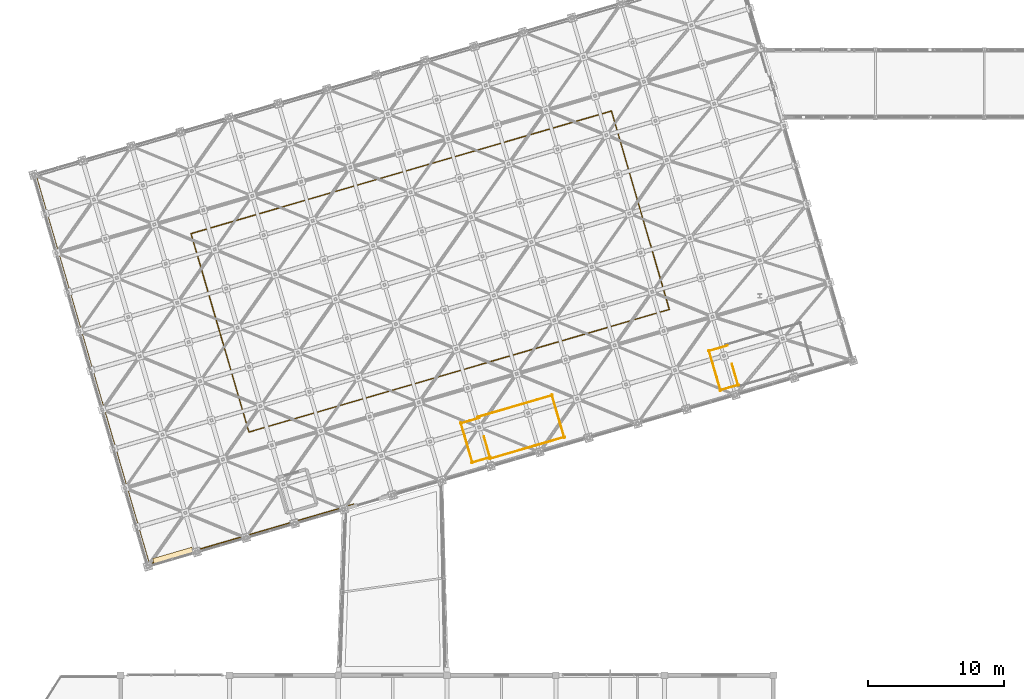
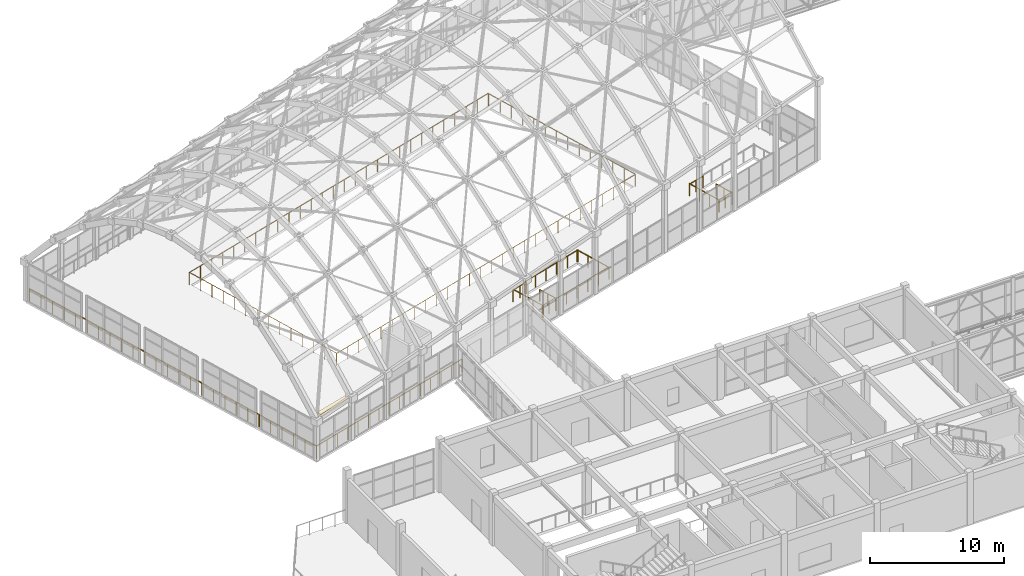
# One storey, part 240 of 248: 14 railings, 1 covering, 1 element without a shape of its own.
"""IFC4 building model written with IfcOpenShell, lengths in metres."""

import ifcopenshell
import ifcopenshell.guid

model = None  # the IFC model being written
_history = None  # IfcOwnerHistory: only IFC2X3 demands one
_inside = {}  # id of a spatial element -> (the spatial element, [elements in it])
_under = {}  # id of a project, library or spatial element -> (it, [spatial elements below it])
_declared = {}  # id of a project -> (the project, [libraries it declares])
_typed = {}  # id of a type object -> (the type object, [elements of that type])
_made_of = {}  # id of a material, layer set ... -> (it, [elements and type objects made of it])


def new_model(schema):
    """Start an empty IFC model of exactly this schema.

    Asked for "IFC4X3", IfcOpenShell would pick the latest addendum, in which some entities
    have other attributes; the version numbers below select the first issue.
    IFC2X3 requires an IfcOwnerHistory on every rooted entity: one is made here for all.
    """
    global model, _history
    if schema == "IFC4X3":
        model = ifcopenshell.file(schema_version=(4, 3, 0, 0))
    else:
        model = ifcopenshell.file(schema=schema)
    _inside.clear()
    _under.clear()
    _declared.clear()
    _typed.clear()
    _made_of.clear()
    _history = None
    if model.schema == "IFC2X3":
        org = make("IfcOrganization", Name="unknown")
        user = make(
            "IfcPersonAndOrganization",
            ThePerson=make("IfcPerson", FamilyName="unknown"),
            TheOrganization=org,
        )
        app = make(
            "IfcApplication",
            ApplicationDeveloper=org,
            Version="unknown",
            ApplicationFullName="unknown",
            ApplicationIdentifier="unknown",
        )
        _history = make(
            "IfcOwnerHistory",
            OwningUser=user,
            OwningApplication=app,
            ChangeAction="ADDED",
            CreationDate=0,
        )
    return model


def make(cls, **values):
    """One entity of the class cls with the attributes given. An attribute that is None is left unset."""
    return model.create_entity(
        cls, **{name: value for name, value in values.items() if value is not None}
    )


def rooted(cls, **values):
    """An entity with a GlobalId (a new one), such as an element, a storey or a relation."""
    return make(cls, GlobalId=ifcopenshell.guid.new(), OwnerHistory=_history, **values)


def si_unit(unit_type, name, prefix=None):
    """IfcSIUnit, for example si_unit("LENGTHUNIT", "METRE", prefix="MILLI")."""
    return make("IfcSIUnit", UnitType=unit_type, Prefix=prefix, Name=name)


def assignment(units):
    """IfcUnitAssignment: the units of a project."""
    return None if units is None else make("IfcUnitAssignment", Units=units)


def point(xyz):
    """IfcCartesianPoint."""
    return None if xyz is None else make("IfcCartesianPoint", Coordinates=xyz)


def direction(xyz):
    """IfcDirection."""
    return None if xyz is None else make("IfcDirection", DirectionRatios=xyz)


def frame(location, z_axis=None, x_axis=None):
    """IfcAxis2Placement3D, a coordinate frame: its origin and axes. An axis left out is left unset."""
    return make(
        "IfcAxis2Placement3D",
        Location=point(location),
        Axis=direction(z_axis),
        RefDirection=direction(x_axis),
    )


def frame_2d(location, x_axis=None):
    """IfcAxis2Placement2D, a coordinate frame in the plane: its origin and x axis."""
    return make(
        "IfcAxis2Placement2D", Location=point(location), RefDirection=direction(x_axis)
    )


def origin():
    """The frame at (0, 0, 0) with its axes left unset."""
    return frame((0.0, 0.0, 0.0))


def origin_2d():
    """The frame at (0, 0) in the plane with its x axis left unset."""
    return frame_2d((0.0, 0.0))


def place(relative_to, where):
    """IfcLocalPlacement: puts the frame where relative to a parent placement (None: the world)."""
    return make(
        "IfcLocalPlacement", PlacementRelTo=relative_to, RelativePlacement=where
    )


def context(
    kind, dimensions, precision=None, world=None, true_north=None, identifier=None
):
    """IfcGeometricRepresentationContext, for example the 3D "Model" context."""
    return make(
        "IfcGeometricRepresentationContext",
        ContextIdentifier=identifier,
        ContextType=kind,
        CoordinateSpaceDimension=dimensions,
        Precision=precision,
        WorldCoordinateSystem=world,
        TrueNorth=true_north,
    )


def subcontext(parent, identifier, kind, view, scale=None):
    """IfcGeometricRepresentationSubContext, for example "Body" below "Model"."""
    return make(
        "IfcGeometricRepresentationSubContext",
        ContextIdentifier=identifier,
        ContextType=kind,
        ParentContext=parent,
        TargetScale=scale,
        TargetView=view,
    )


def project(units=None, contexts=None):
    """IfcProject with its units and contexts."""
    return rooted(
        "IfcProject",
        Name="project",
        RepresentationContexts=contexts,
        UnitsInContext=assignment(units),
    )


def spatial(cls, under=None, at=None, **own):
    """A site, building, storey or space (cls), placed at a placement, below another one or the project."""
    s = rooted(cls, ObjectPlacement=at, **own)
    if under is not None:
        _under.setdefault(under.id(), (under, []))[1].append(s)
    return s


def polyline(points):
    """IfcPolyline through the points."""
    return make("IfcPolyline", Points=[point(p) for p in points])


def profile(cls, at=None, kind="AREA", **sizes):
    """A parametric profile (cls). Its sizes go by their IFC names, for example OverallWidth=200.0."""
    return make(cls, ProfileType=kind, Position=at, **sizes)


def circle(**sizes):
    """IfcCircleProfileDef."""
    return profile("IfcCircleProfileDef", **sizes)


def outline(outer, holes=None, kind="AREA"):
    """IfcArbitraryClosedProfileDef: a profile drawn as a closed curve; with holes, ...WithVoids."""
    if holes is None:
        return make("IfcArbitraryClosedProfileDef", ProfileType=kind, OuterCurve=outer)
    return make(
        "IfcArbitraryProfileDefWithVoids",
        ProfileType=kind,
        OuterCurve=outer,
        InnerCurves=holes,
    )


def extrude(swept, where, along, depth):
    """IfcExtrudedAreaSolid: the profile swept, set in the frame where, extruded along a direction by depth."""
    return make(
        "IfcExtrudedAreaSolid",
        SweptArea=swept,
        Position=where,
        ExtrudedDirection=direction(along),
        Depth=depth,
    )


def shape(context_of_items, identifier, shape_type, items):
    """IfcShapeRepresentation: the items that make up one representation, for example the "Body"."""
    return make(
        "IfcShapeRepresentation",
        ContextOfItems=context_of_items,
        RepresentationIdentifier=identifier,
        RepresentationType=shape_type,
        Items=items,
    )


def material(Name=None, Category=None):
    """IfcMaterial."""
    return make("IfcMaterial", Name=Name, Category=Category)


def layer(
    of_material, thickness, ventilated=None, Name=None, Category=None, Priority=None
):
    """IfcMaterialLayer: one layer of a wall or slab, of a material (None: an air gap)."""
    return make(
        "IfcMaterialLayer",
        Material=of_material,
        LayerThickness=thickness,
        IsVentilated=ventilated,
        Name=Name,
        Category=Category,
        Priority=Priority,
    )


def layer_set(layers, Name=None):
    """IfcMaterialLayerSet."""
    return make("IfcMaterialLayerSet", MaterialLayers=layers, LayerSetName=Name)


def made_of(thing, what):
    """Note that an element or type object is made of a material, layer set ...; save() writes the relation."""
    if what is not None:
        _made_of.setdefault(what.id(), (what, []))[1].append(thing)
    return thing


def type_object(cls, material=None, **own):
    """A type object (cls), such as IfcWallType, which elements share."""
    return made_of(rooted(cls, **own), material)


def element(
    cls,
    number,
    at=None,
    inside=None,
    cuts=None,
    type_object=None,
    material=None,
    context=None,
    identifier="Body",
    shape_type=None,
    held_by="IfcProductDefinitionShape",
    body=None,
    shapes=None,
    **own,
):
    """One element of the class cls, such as IfcWall. Its Tag is "e" and its number.

    at: its placement. inside: the storey or other place that contains it. cuts: it is an
    opening in that element (IfcRelVoidsElement). A single representation is given by context,
    identifier, shape_type and body (its items); several are given by shapes. held_by: the class
    of the entity that holds the representations. save() writes the other relations.
    """
    e = rooted(cls, Tag="e%d" % number, ObjectPlacement=at, **own)
    if body is not None:
        shapes = [shape(context, identifier, shape_type, body)]
    if shapes is not None:
        e.Representation = make(held_by, Representations=shapes)
    if inside is not None:
        _inside.setdefault(inside.id(), (inside, []))[1].append(e)
    if cuts is not None:
        rooted(
            "IfcRelVoidsElement", RelatingBuildingElement=cuts, RelatedOpeningElement=e
        )
    if type_object is not None:
        _typed.setdefault(type_object.id(), (type_object, []))[1].append(e)
    return made_of(e, material)


def aggregate(whole, parts):
    """IfcRelAggregates: a whole, such as a stair, and the parts it consists of."""
    return rooted("IfcRelAggregates", RelatingObject=whole, RelatedObjects=parts)


def save(model, path):
    """Write the relations noted so far, then the file.

    IfcRelAggregates (storeys below a building ...), IfcRelContainedInSpatialStructure (elements
    in a storey), IfcRelDefinesByType, IfcRelAssociatesMaterial and IfcRelDeclares: one each for
    every whole, place, type object, material and project.
    """
    for whole, parts in _under.values():
        aggregate(whole, parts)
    for where, things in _inside.values():
        rooted(
            "IfcRelContainedInSpatialStructure",
            RelatedElements=things,
            RelatingStructure=where,
        )
    for kind, things in _typed.values():
        rooted("IfcRelDefinesByType", RelatedObjects=things, RelatingType=kind)
    for what, things in _made_of.values():
        rooted("IfcRelAssociatesMaterial", RelatedObjects=things, RelatingMaterial=what)
    for by, libraries in _declared.values():
        rooted("IfcRelDeclares", RelatingContext=by, RelatedDefinitions=libraries)
    model.write(path)


model = new_model("IFC4")

# Units and contexts
model_context = context("Model", 3, precision=1e-05, world=origin(), true_north=direction((0.0, 1.0)))
body_context = subcontext(model_context, "Body", "Model", "MODEL_VIEW")
ifc_project = project(units=[si_unit("LENGTHUNIT", "METRE"), si_unit("AREAUNIT", "SQUARE_METRE"), si_unit("VOLUMEUNIT", "CUBIC_METRE"), si_unit("PLANEANGLEUNIT", "RADIAN"), si_unit("MASSUNIT", "GRAM", prefix="KILO")], contexts=[model_context])

# Site, building, storey
site_placement = place(None, origin())
site = spatial("IfcSite", under=ifc_project, at=site_placement, CompositionType="ELEMENT")
building_placement = place(site_placement, origin())
building = spatial("IfcBuilding", under=site, at=building_placement, Name="Canggui Botanical Conservatory", CompositionType="ELEMENT")
storey_placement = place(building_placement, frame((0.0, 0.0, 5.39990234375)))
storey = spatial("IfcBuildingStorey", under=building, at=storey_placement, Name="L02", CompositionType="ELEMENT", Elevation=5.39990234375)

# Roof, covering
ifc_material_1 = material(Name="Steel Q355C", Category="steel")
ifc_layer_1 = layer(ifc_material_1, 0.300048828125, Name="Steel Q355C", Category="steel")
ifc_layer_set_1 = layer_set([ifc_layer_1], Name="Steel Q355C")
roof_type = type_object("IfcRoofType", Name="ROOF-DOME", PredefinedType="DOME_ROOF", material=ifc_layer_set_1)
roof_placement = place(storey_placement, origin())
roof = element("IfcRoof", 1, at=roof_placement, inside=storey, type_object=roof_type, Name="Conservatory Stepped-Arch Steel Gridshell Roof", PredefinedType="DOME_ROOF")
ifc_material_2 = material(Name="TPO Waterproofing Membrane")
ifc_layer_2 = layer(ifc_material_2, 0.02490234375, Name="TPO Waterproofing Membrane")
ifc_layer_set_2 = layer_set([ifc_layer_2], Name="TPO Waterproofing Membrane")
covering_type = type_object("IfcCoveringType", Name="COV-ROOF-25", PredefinedType="ROOFING", material=ifc_layer_set_2)
covering_placement = place(storey_placement, frame((0.0, 0.0, 3.580078125)))
covering = element("IfcCovering", 2, at=covering_placement, type_object=covering_type, Name="Conservatory Gridshell Eave Gutter Flashing Membrane", PredefinedType="ROOFING", context=body_context, shape_type="SweptSolid", body=[
    extrude(outline(polyline([(20.466064453125, 42.18798828125), (23.345947265625, 43.028076171875), (23.23388671875, 43.412109375), (20.35400390625, 42.572021484375), (20.466064453125, 42.18798828125)])), origin(), (0.0, 0.0, 1.0), 0.300048828125),
])
aggregate(roof, [covering])

# Railings
ifc_material_3 = material(Name="Stainless Steel 304", Category="steel")
railing_type_1 = type_object("IfcRailingType", Name="RAIL-GUARD-1100", PredefinedType="BALUSTRADE", material=ifc_material_3)
railing_1_placement = place(storey_placement, frame((45.176025390625, 49.968017578125, 0.0)))
element("IfcRailing", 3, at=railing_1_placement, inside=storey, type_object=railing_type_1, Name="L02 ST-C1 top well guard 1", PredefinedType="BALUSTRADE", context=body_context, shape_type="SweptSolid", body=[
    extrude(circle(Radius=0.02392578125, at=origin_2d()), frame((0.0, 0.0, 1.076171875), z_axis=(-0.279954544065, 0.960013256813, 0.0), x_axis=(-0.960013256813, -0.279954544065, 0.0)), (0.0, 0.0, 1.0), 1.64990234375),
    extrude(circle(Radius=0.02099609375, at=origin_2d()), origin(), (0.0, 0.0, 1.0), 1.052001953125),
    extrude(circle(Radius=0.02099609375, at=origin_2d()), frame((-0.23095703125, 0.7919921875, 0.0)), (0.0, 0.0, 1.0), 1.052001953125),
    extrude(circle(Radius=0.02099609375, at=origin_2d()), frame((-0.4619140625, 1.583984375, 0.0)), (0.0, 0.0, 1.0), 1.052001953125),
])
railing_2_placement = place(storey_placement, frame((45.14208984375, 49.906005859375, 0.0)))
element("IfcRailing", 4, at=railing_2_placement, inside=storey, type_object=railing_type_1, Name="L02 ST-C1 top well guard 2", PredefinedType="BALUSTRADE", context=body_context, shape_type="SweptSolid", body=[
    extrude(circle(Radius=0.02392578125, at=origin_2d()), frame((0.0, 0.0, 1.076171875), z_axis=(0.959995244467, 0.280016304169, 0.0), x_axis=(-0.280016304169, 0.959995244467, 0.0)), (0.0, 0.0, 1.0), 5.75),
    extrude(circle(Radius=0.02099609375, at=origin_2d()), origin(), (0.0, 0.0, 1.0), 1.052001953125),
    extrude(circle(Radius=0.02099609375, at=origin_2d()), frame((1.10400390625, 0.322021484375, 0.0)), (0.0, 0.0, 1.0), 1.052001953125),
    extrude(circle(Radius=0.02099609375, at=origin_2d()), frame((2.2080078125, 0.64404296875, 0.0)), (0.0, 0.0, 1.0), 1.052001953125),
    extrude(circle(Radius=0.02099609375, at=origin_2d()), frame((3.31201171875, 0.966064453125, 0.0)), (0.0, 0.0, 1.0), 1.052001953125),
    extrude(circle(Radius=0.02099609375, at=origin_2d()), frame((4.416015625, 1.2880859375, 0.0)), (0.0, 0.0, 1.0), 1.052001953125),
    extrude(circle(Radius=0.02099609375, at=origin_2d()), frame((5.52001953125, 1.610107421875, 0.0)), (0.0, 0.0, 1.0), 1.052001953125),
])
railing_3_placement = place(storey_placement, frame((44.24609375, 52.97802734375, 0.0)))
element("IfcRailing", 5, at=railing_3_placement, inside=storey, type_object=railing_type_1, Name="L02 ST-C1 top well guard 3", PredefinedType="BALUSTRADE", context=body_context, shape_type="SweptSolid", body=[
    extrude(circle(Radius=0.02392578125, at=origin_2d()), frame((0.0, 0.0, 1.076171875), z_axis=(0.96000665736, 0.279977173756, 0.0), x_axis=(-0.279977173756, 0.96000665736, 0.0)), (0.0, 0.0, 1.0), 5.75),
    extrude(circle(Radius=0.02099609375, at=origin_2d()), origin(), (0.0, 0.0, 1.0), 1.052001953125),
    extrude(circle(Radius=0.02099609375, at=origin_2d()), frame((1.10400390625, 0.322021484375, 0.0)), (0.0, 0.0, 1.0), 1.052001953125),
    extrude(circle(Radius=0.02099609375, at=origin_2d()), frame((2.2080078125, 0.64404296875, 0.0)), (0.0, 0.0, 1.0), 1.052001953125),
    extrude(circle(Radius=0.02099609375, at=origin_2d()), frame((3.31201171875, 0.9658203125, 0.0)), (0.0, 0.0, 1.0), 1.052001953125),
    extrude(circle(Radius=0.02099609375, at=origin_2d()), frame((4.416015625, 1.287841796875, 0.0)), (0.0, 0.0, 1.0), 1.052001953125),
    extrude(circle(Radius=0.02099609375, at=origin_2d()), frame((5.52001953125, 1.60986328125, 0.0)), (0.0, 0.0, 1.0), 1.052001953125),
])
railing_4_placement = place(storey_placement, frame((50.6279296875, 51.4541015625, 0.0)))
element("IfcRailing", 6, at=railing_4_placement, inside=storey, type_object=railing_type_1, Name="L02 ST-C1 top well guard 4", PredefinedType="BALUSTRADE", context=body_context, shape_type="SweptSolid", body=[
    extrude(circle(Radius=0.02392578125, at=origin_2d()), frame((0.0, 0.0, 1.076171875), z_axis=(-0.279954544065, 0.960013256813, 0.0), x_axis=(-0.960013256813, -0.279954544065, 0.0)), (0.0, 0.0, 1.0), 3.2998046875),
    extrude(circle(Radius=0.02099609375, at=origin_2d()), origin(), (0.0, 0.0, 1.0), 1.052001953125),
    extrude(circle(Radius=0.02099609375, at=origin_2d()), frame((-0.307861328125, 1.055908203125, 0.0)), (0.0, 0.0, 1.0), 1.052001953125),
    extrude(circle(Radius=0.02099609375, at=origin_2d()), frame((-0.615966796875, 2.112060546875, 0.0)), (0.0, 0.0, 1.0), 1.052001953125),
    extrude(circle(Radius=0.02099609375, at=origin_2d()), frame((-0.923828125, 3.16796875, 0.0)), (0.0, 0.0, 1.0), 1.052001953125),
])
railing_5_placement = place(storey_placement, frame((43.818115234375, 49.6240234375, 0.0)))
element("IfcRailing", 7, at=railing_5_placement, inside=storey, type_object=railing_type_1, Name="L02 ST-C1 top well guard 5", PredefinedType="BALUSTRADE", context=body_context, shape_type="SweptSolid", body=[
    extrude(circle(Radius=0.02392578125, at=origin_2d()), frame((0.0, 0.0, 1.076171875), z_axis=(0.959990569624, 0.280032330694, 0.0), x_axis=(-0.280032330694, 0.959990569624, 0.0)), (0.0, 0.0, 1.0), 1.449951171875),
    extrude(circle(Radius=0.02099609375, at=origin_2d()), origin(), (0.0, 0.0, 1.0), 1.052001953125),
    extrude(circle(Radius=0.02099609375, at=origin_2d()), frame((0.69580078125, 0.203125, 0.0)), (0.0, 0.0, 1.0), 1.052001953125),
    extrude(circle(Radius=0.02099609375, at=origin_2d()), frame((1.391845703125, 0.406005859375, 0.0)), (0.0, 0.0, 1.0), 1.052001953125),
])
railing_6_placement = place(storey_placement, frame((42.97802734375, 52.50390625, 0.0)))
element("IfcRailing", 8, at=railing_6_placement, inside=storey, type_object=railing_type_1, Name="L02 ST-C1 top well guard 6", PredefinedType="BALUSTRADE", context=body_context, shape_type="SweptSolid", body=[
    extrude(circle(Radius=0.02392578125, at=origin_2d()), frame((0.0, 0.0, 1.076171875), z_axis=(0.960003771236, 0.279987069724, 0.0), x_axis=(-0.279987069724, 0.960003771236, 0.0)), (0.0, 0.0, 1.0), 1.4501953125),
    extrude(circle(Radius=0.02099609375, at=origin_2d()), origin(), (0.0, 0.0, 1.0), 1.052001953125),
    extrude(circle(Radius=0.02099609375, at=origin_2d()), frame((0.696044921875, 0.203125, 0.0)), (0.0, 0.0, 1.0), 1.052001953125),
    extrude(circle(Radius=0.02099609375, at=origin_2d()), frame((1.39208984375, 0.406005859375, 0.0)), (0.0, 0.0, 1.0), 1.052001953125),
])
railing_7_placement = place(storey_placement, frame((43.8798828125, 49.590087890625, 0.0)))
element("IfcRailing", 9, at=railing_7_placement, inside=storey, type_object=railing_type_1, Name="L02 ST-C1 top well guard 7", PredefinedType="BALUSTRADE", context=body_context, shape_type="SweptSolid", body=[
    extrude(circle(Radius=0.02392578125, at=origin_2d()), frame((0.0, 0.0, 1.076171875), z_axis=(-0.279990926864, 0.960002646285, 0.0), x_axis=(-0.960002646285, -0.279990926864, 0.0)), (0.0, 0.0, 1.0), 3.099853515625),
    extrude(circle(Radius=0.02099609375, at=origin_2d()), origin(), (0.0, 0.0, 1.0), 1.052001953125),
    extrude(circle(Radius=0.02099609375, at=origin_2d()), frame((-0.289306640625, 0.991943359375, 0.0)), (0.0, 0.0, 1.0), 1.052001953125),
    extrude(circle(Radius=0.02099609375, at=origin_2d()), frame((-0.57861328125, 1.98388671875, 0.0)), (0.0, 0.0, 1.0), 1.052001953125),
    extrude(circle(Radius=0.02099609375, at=origin_2d()), frame((-0.867919921875, 2.975830078125, 0.0)), (0.0, 0.0, 1.0), 1.052001953125),
])
railing_8_placement = place(storey_placement, frame((63.416015625, 55.2880859375, 0.0)))
element("IfcRailing", 10, at=railing_8_placement, inside=storey, type_object=railing_type_1, Name="L02 ST-C2 top well guard 1", PredefinedType="BALUSTRADE", context=body_context, shape_type="SweptSolid", body=[
    extrude(circle(Radius=0.02392578125, at=origin_2d()), frame((0.0, 0.0, 1.076171875), z_axis=(-0.279954544065, 0.960013256813, 0.0), x_axis=(-0.960013256813, -0.279954544065, 0.0)), (0.0, 0.0, 1.0), 1.64990234375),
    extrude(circle(Radius=0.02099609375, at=origin_2d()), origin(), (0.0, 0.0, 1.0), 1.052001953125),
    extrude(circle(Radius=0.02099609375, at=origin_2d()), frame((-0.23095703125, 0.7919921875, 0.0)), (0.0, 0.0, 1.0), 1.052001953125),
    extrude(circle(Radius=0.02099609375, at=origin_2d()), frame((-0.4619140625, 1.583984375, 0.0)), (0.0, 0.0, 1.0), 1.052001953125),
])
railing_9_placement = place(storey_placement, frame((62.05810546875, 54.944091796875, 0.0)))
element("IfcRailing", 11, at=railing_9_placement, inside=storey, type_object=railing_type_1, Name="L02 ST-C2 top well guard 5", PredefinedType="BALUSTRADE", context=body_context, shape_type="SweptSolid", body=[
    extrude(circle(Radius=0.02392578125, at=origin_2d()), frame((0.0, 0.0, 1.076171875), z_axis=(0.959990569624, 0.280032330694, 0.0), x_axis=(-0.280032330694, 0.959990569624, 0.0)), (0.0, 0.0, 1.0), 1.449951171875),
    extrude(circle(Radius=0.02099609375, at=origin_2d()), origin(), (0.0, 0.0, 1.0), 1.052001953125),
    extrude(circle(Radius=0.02099609375, at=origin_2d()), frame((0.69580078125, 0.203125, 0.0)), (0.0, 0.0, 1.0), 1.052001953125),
    extrude(circle(Radius=0.02099609375, at=origin_2d()), frame((1.391845703125, 0.406005859375, 0.0)), (0.0, 0.0, 1.0), 1.052001953125),
])
railing_10_placement = place(storey_placement, frame((61.218017578125, 57.823974609375, 0.0)))
element("IfcRailing", 12, at=railing_10_placement, inside=storey, type_object=railing_type_1, Name="L02 ST-C2 top well guard 6", PredefinedType="BALUSTRADE", context=body_context, shape_type="SweptSolid", body=[
    extrude(circle(Radius=0.02392578125, at=origin_2d()), frame((0.0, 0.0, 1.076171875), z_axis=(0.960003771236, 0.279987069724, 0.0), x_axis=(-0.279987069724, 0.960003771236, 0.0)), (0.0, 0.0, 1.0), 1.4501953125),
    extrude(circle(Radius=0.02099609375, at=origin_2d()), origin(), (0.0, 0.0, 1.0), 1.052001953125),
    extrude(circle(Radius=0.02099609375, at=origin_2d()), frame((0.696044921875, 0.203125, 0.0)), (0.0, 0.0, 1.0), 1.052001953125),
    extrude(circle(Radius=0.02099609375, at=origin_2d()), frame((1.39208984375, 0.406005859375, 0.0)), (0.0, 0.0, 1.0), 1.052001953125),
])
railing_11_placement = place(storey_placement, frame((62.1201171875, 54.909912109375, 0.0)))
element("IfcRailing", 13, at=railing_11_placement, inside=storey, type_object=railing_type_1, Name="L02 ST-C2 top well guard 7", PredefinedType="BALUSTRADE", context=body_context, shape_type="SweptSolid", body=[
    extrude(circle(Radius=0.02392578125, at=origin_2d()), frame((0.0, 0.0, 1.076171875), z_axis=(-0.280042336837, 0.959987650743, 0.0), x_axis=(-0.959987650743, -0.280042336837, 0.0)), (0.0, 0.0, 1.0), 3.10009765625),
    extrude(circle(Radius=0.02099609375, at=origin_2d()), origin(), (0.0, 0.0, 1.0), 1.052001953125),
    extrude(circle(Radius=0.02099609375, at=origin_2d()), frame((-0.289306640625, 0.991943359375, 0.0)), (0.0, 0.0, 1.0), 1.052001953125),
    extrude(circle(Radius=0.02099609375, at=origin_2d()), frame((-0.578857421875, 1.984130859375, 0.0)), (0.0, 0.0, 1.0), 1.052001953125),
    extrude(circle(Radius=0.02099609375, at=origin_2d()), frame((-0.8681640625, 2.97607421875, 0.0)), (0.0, 0.0, 1.0), 1.052001953125),
])
ifc_material_4 = material(Name="Laminated Safety Glass", Category="glass")
railing_type_2 = type_object("IfcRailingType", Name="RAIL-VOID-1150", PredefinedType="BALUSTRADE", material=ifc_material_4)
railing_12_placement = place(storey_placement, frame((27.431884765625, 51.8759765625, 0.0)))
element("IfcRailing", 14, at=railing_12_placement, inside=storey, type_object=railing_type_2, Name="Conservatory Canopy Skywalk Inner Void Balustrade Part A", PredefinedType="BALUSTRADE", context=body_context, shape_type="SweptSolid", body=[
    extrude(circle(Radius=0.02392578125, at=origin_2d()), frame((0.0, 0.0, 1.1259765625), z_axis=(0.959999320652, 0.280002329182, 0.0), x_axis=(-0.280002329182, 0.959999320652, 0.0)), (0.0, 0.0, 1.0), 32.2001953125),
    extrude(circle(Radius=0.02392578125, at=origin_2d()), frame((30.912109375, 9.01611328125, 1.1259765625), z_axis=(-0.280000619428, 0.959999819333, 0.0), x_axis=(-0.959999819333, -0.280000619428, 0.0)), (0.0, 0.0, 1.0), 15.135009765625),
    extrude(circle(Radius=0.02099609375, at=origin_2d()), origin(), (0.0, 0.0, 1.0), 1.101806640625),
    extrude(circle(Radius=0.02099609375, at=origin_2d()), frame((1.144775390625, 0.333984375, 0.0)), (0.0, 0.0, 1.0), 1.101806640625),
    extrude(circle(Radius=0.02099609375, at=origin_2d()), frame((2.289794921875, 0.66796875, 0.0)), (0.0, 0.0, 1.0), 1.101806640625),
    extrude(circle(Radius=0.02099609375, at=origin_2d()), frame((3.4345703125, 1.001708984375, 0.0)), (0.0, 0.0, 1.0), 1.101806640625),
    extrude(circle(Radius=0.02099609375, at=origin_2d()), frame((4.57958984375, 1.335693359375, 0.0)), (0.0, 0.0, 1.0), 1.101806640625),
    extrude(circle(Radius=0.02099609375, at=origin_2d()), frame((5.724365234375, 1.669677734375, 0.0)), (0.0, 0.0, 1.0), 1.101806640625),
    extrude(circle(Radius=0.02099609375, at=origin_2d()), frame((6.869384765625, 2.003662109375, 0.0)), (0.0, 0.0, 1.0), 1.101806640625),
    extrude(circle(Radius=0.02099609375, at=origin_2d()), frame((8.01416015625, 2.33740234375, 0.0)), (0.0, 0.0, 1.0), 1.101806640625),
    extrude(circle(Radius=0.02099609375, at=origin_2d()), frame((9.1591796875, 2.67138671875, 0.0)), (0.0, 0.0, 1.0), 1.101806640625),
    extrude(circle(Radius=0.02099609375, at=origin_2d()), frame((10.303955078125, 3.00537109375, 0.0)), (0.0, 0.0, 1.0), 1.101806640625),
    extrude(circle(Radius=0.02099609375, at=origin_2d()), frame((11.448974609375, 3.33935546875, 0.0)), (0.0, 0.0, 1.0), 1.101806640625),
    extrude(circle(Radius=0.02099609375, at=origin_2d()), frame((12.59375, 3.67333984375, 0.0)), (0.0, 0.0, 1.0), 1.101806640625),
    extrude(circle(Radius=0.02099609375, at=origin_2d()), frame((13.73876953125, 4.007080078125, 0.0)), (0.0, 0.0, 1.0), 1.101806640625),
    extrude(circle(Radius=0.02099609375, at=origin_2d()), frame((14.883544921875, 4.341064453125, 0.0)), (0.0, 0.0, 1.0), 1.101806640625),
    extrude(circle(Radius=0.02099609375, at=origin_2d()), frame((16.028564453125, 4.675048828125, 0.0)), (0.0, 0.0, 1.0), 1.101806640625),
    extrude(circle(Radius=0.02099609375, at=origin_2d()), frame((17.17333984375, 5.009033203125, 0.0)), (0.0, 0.0, 1.0), 1.101806640625),
    extrude(circle(Radius=0.02099609375, at=origin_2d()), frame((18.318359375, 5.3427734375, 0.0)), (0.0, 0.0, 1.0), 1.101806640625),
    extrude(circle(Radius=0.02099609375, at=origin_2d()), frame((19.463134765625, 5.6767578125, 0.0)), (0.0, 0.0, 1.0), 1.101806640625),
    extrude(circle(Radius=0.02099609375, at=origin_2d()), frame((20.608154296875, 6.0107421875, 0.0)), (0.0, 0.0, 1.0), 1.101806640625),
    extrude(circle(Radius=0.02099609375, at=origin_2d()), frame((21.7529296875, 6.3447265625, 0.0)), (0.0, 0.0, 1.0), 1.101806640625),
    extrude(circle(Radius=0.02099609375, at=origin_2d()), frame((22.89794921875, 6.6787109375, 0.0)), (0.0, 0.0, 1.0), 1.101806640625),
    extrude(circle(Radius=0.02099609375, at=origin_2d()), frame((24.042724609375, 7.012451171875, 0.0)), (0.0, 0.0, 1.0), 1.101806640625),
    extrude(circle(Radius=0.02099609375, at=origin_2d()), frame((25.187744140625, 7.346435546875, 0.0)), (0.0, 0.0, 1.0), 1.101806640625),
    extrude(circle(Radius=0.02099609375, at=origin_2d()), frame((26.33251953125, 7.680419921875, 0.0)), (0.0, 0.0, 1.0), 1.101806640625),
    extrude(circle(Radius=0.02099609375, at=origin_2d()), frame((27.4775390625, 8.014404296875, 0.0)), (0.0, 0.0, 1.0), 1.101806640625),
    extrude(circle(Radius=0.02099609375, at=origin_2d()), frame((28.622314453125, 8.34814453125, 0.0)), (0.0, 0.0, 1.0), 1.101806640625),
    extrude(circle(Radius=0.02099609375, at=origin_2d()), frame((29.767333984375, 8.68212890625, 0.0)), (0.0, 0.0, 1.0), 1.101806640625),
    extrude(circle(Radius=0.02099609375, at=origin_2d()), frame((30.912109375, 9.01611328125, 0.0)), (0.0, 0.0, 1.0), 1.101806640625),
    extrude(circle(Radius=0.02099609375, at=origin_2d()), frame((30.586181640625, 10.1337890625, 0.0)), (0.0, 0.0, 1.0), 1.101806640625),
    extrude(circle(Radius=0.02099609375, at=origin_2d()), frame((30.26025390625, 11.25146484375, 0.0)), (0.0, 0.0, 1.0), 1.101806640625),
    extrude(circle(Radius=0.02099609375, at=origin_2d()), frame((29.93408203125, 12.369140625, 0.0)), (0.0, 0.0, 1.0), 1.101806640625),
    extrude(circle(Radius=0.02099609375, at=origin_2d()), frame((29.608154296875, 13.48681640625, 0.0)), (0.0, 0.0, 1.0), 1.101806640625),
    extrude(circle(Radius=0.02099609375, at=origin_2d()), frame((29.2822265625, 14.6044921875, 0.0)), (0.0, 0.0, 1.0), 1.101806640625),
    extrude(circle(Radius=0.02099609375, at=origin_2d()), frame((28.956298828125, 15.72216796875, 0.0)), (0.0, 0.0, 1.0), 1.101806640625),
    extrude(circle(Radius=0.02099609375, at=origin_2d()), frame((28.630126953125, 16.839599609375, 0.0)), (0.0, 0.0, 1.0), 1.101806640625),
    extrude(circle(Radius=0.02099609375, at=origin_2d()), frame((28.30419921875, 17.957275390625, 0.0)), (0.0, 0.0, 1.0), 1.101806640625),
    extrude(circle(Radius=0.02099609375, at=origin_2d()), frame((27.978271484375, 19.074951171875, 0.0)), (0.0, 0.0, 1.0), 1.101806640625),
    extrude(circle(Radius=0.02099609375, at=origin_2d()), frame((27.65234375, 20.192626953125, 0.0)), (0.0, 0.0, 1.0), 1.101806640625),
    extrude(circle(Radius=0.02099609375, at=origin_2d()), frame((27.326171875, 21.310302734375, 0.0)), (0.0, 0.0, 1.0), 1.101806640625),
    extrude(circle(Radius=0.02099609375, at=origin_2d()), frame((27.000244140625, 22.427978515625, 0.0)), (0.0, 0.0, 1.0), 1.101806640625),
    extrude(circle(Radius=0.02099609375, at=origin_2d()), frame((26.67431640625, 23.545654296875, 0.0)), (0.0, 0.0, 1.0), 1.101806640625),
])
railing_13_placement = place(storey_placement, frame((54.087890625, 75.48388671875, 0.0)))
element("IfcRailing", 15, at=railing_13_placement, inside=storey, type_object=railing_type_2, Name="Conservatory Canopy Skywalk Inner Void Balustrade Part B", PredefinedType="BALUSTRADE", context=body_context, shape_type="SweptSolid", body=[
    extrude(circle(Radius=0.02392578125, at=origin_2d()), frame((0.0, 0.0, 1.1259765625), z_axis=(-0.960000764267, -0.279997379644, 0.0), x_axis=(0.279997379644, -0.960000764267, 0.0)), (0.0, 0.0, 1.0), 32.199951171875),
    extrude(circle(Radius=0.02392578125, at=origin_2d()), frame((-30.911865234375, -9.015869140625, 1.1259765625), z_axis=(0.280000619428, -0.959999819333, 0.0), x_axis=(0.959999819333, 0.280000619428, 0.0)), (0.0, 0.0, 1.0), 15.135009765625),
    extrude(circle(Radius=0.02099609375, at=origin_2d()), origin(), (0.0, 0.0, 1.0), 1.101806640625),
    extrude(circle(Radius=0.02099609375, at=origin_2d()), frame((-1.144775390625, -0.333984375, 0.0)), (0.0, 0.0, 1.0), 1.101806640625),
    extrude(circle(Radius=0.02099609375, at=origin_2d()), frame((-2.289794921875, -0.667724609375, 0.0)), (0.0, 0.0, 1.0), 1.101806640625),
    extrude(circle(Radius=0.02099609375, at=origin_2d()), frame((-3.4345703125, -1.001708984375, 0.0)), (0.0, 0.0, 1.0), 1.101806640625),
    extrude(circle(Radius=0.02099609375, at=origin_2d()), frame((-4.57958984375, -1.335693359375, 0.0)), (0.0, 0.0, 1.0), 1.101806640625),
    extrude(circle(Radius=0.02099609375, at=origin_2d()), frame((-5.724365234375, -1.669677734375, 0.0)), (0.0, 0.0, 1.0), 1.101806640625),
    extrude(circle(Radius=0.02099609375, at=origin_2d()), frame((-6.869384765625, -2.00341796875, 0.0)), (0.0, 0.0, 1.0), 1.101806640625),
    extrude(circle(Radius=0.02099609375, at=origin_2d()), frame((-8.01416015625, -2.33740234375, 0.0)), (0.0, 0.0, 1.0), 1.101806640625),
    extrude(circle(Radius=0.02099609375, at=origin_2d()), frame((-9.1591796875, -2.67138671875, 0.0)), (0.0, 0.0, 1.0), 1.101806640625),
    extrude(circle(Radius=0.02099609375, at=origin_2d()), frame((-10.303955078125, -3.00537109375, 0.0)), (0.0, 0.0, 1.0), 1.101806640625),
    extrude(circle(Radius=0.02099609375, at=origin_2d()), frame((-11.44873046875, -3.339111328125, 0.0)), (0.0, 0.0, 1.0), 1.101806640625),
    extrude(circle(Radius=0.02099609375, at=origin_2d()), frame((-12.59375, -3.673095703125, 0.0)), (0.0, 0.0, 1.0), 1.101806640625),
    extrude(circle(Radius=0.02099609375, at=origin_2d()), frame((-13.738525390625, -4.007080078125, 0.0)), (0.0, 0.0, 1.0), 1.101806640625),
    extrude(circle(Radius=0.02099609375, at=origin_2d()), frame((-14.883544921875, -4.341064453125, 0.0)), (0.0, 0.0, 1.0), 1.101806640625),
    extrude(circle(Radius=0.02099609375, at=origin_2d()), frame((-16.0283203125, -4.6748046875, 0.0)), (0.0, 0.0, 1.0), 1.101806640625),
    extrude(circle(Radius=0.02099609375, at=origin_2d()), frame((-17.17333984375, -5.0087890625, 0.0)), (0.0, 0.0, 1.0), 1.101806640625),
    extrude(circle(Radius=0.02099609375, at=origin_2d()), frame((-18.318115234375, -5.3427734375, 0.0)), (0.0, 0.0, 1.0), 1.101806640625),
    extrude(circle(Radius=0.02099609375, at=origin_2d()), frame((-19.463134765625, -5.6767578125, 0.0)), (0.0, 0.0, 1.0), 1.101806640625),
    extrude(circle(Radius=0.02099609375, at=origin_2d()), frame((-20.60791015625, -6.010498046875, 0.0)), (0.0, 0.0, 1.0), 1.101806640625),
    extrude(circle(Radius=0.02099609375, at=origin_2d()), frame((-21.752685546875, -6.344482421875, 0.0)), (0.0, 0.0, 1.0), 1.101806640625),
    extrude(circle(Radius=0.02099609375, at=origin_2d()), frame((-22.897705078125, -6.678466796875, 0.0)), (0.0, 0.0, 1.0), 1.101806640625),
    extrude(circle(Radius=0.02099609375, at=origin_2d()), frame((-24.04248046875, -7.012451171875, 0.0)), (0.0, 0.0, 1.0), 1.101806640625),
    extrude(circle(Radius=0.02099609375, at=origin_2d()), frame((-25.1875, -7.34619140625, 0.0)), (0.0, 0.0, 1.0), 1.101806640625),
    extrude(circle(Radius=0.02099609375, at=origin_2d()), frame((-26.332275390625, -7.68017578125, 0.0)), (0.0, 0.0, 1.0), 1.101806640625),
    extrude(circle(Radius=0.02099609375, at=origin_2d()), frame((-27.477294921875, -8.01416015625, 0.0)), (0.0, 0.0, 1.0), 1.101806640625),
    extrude(circle(Radius=0.02099609375, at=origin_2d()), frame((-28.6220703125, -8.34814453125, 0.0)), (0.0, 0.0, 1.0), 1.101806640625),
    extrude(circle(Radius=0.02099609375, at=origin_2d()), frame((-29.76708984375, -8.681884765625, 0.0)), (0.0, 0.0, 1.0), 1.101806640625),
    extrude(circle(Radius=0.02099609375, at=origin_2d()), frame((-30.911865234375, -9.015869140625, 0.0)), (0.0, 0.0, 1.0), 1.101806640625),
    extrude(circle(Radius=0.02099609375, at=origin_2d()), frame((-30.5859375, -10.133544921875, 0.0)), (0.0, 0.0, 1.0), 1.101806640625),
    extrude(circle(Radius=0.02099609375, at=origin_2d()), frame((-30.260009765625, -11.251220703125, 0.0)), (0.0, 0.0, 1.0), 1.101806640625),
    extrude(circle(Radius=0.02099609375, at=origin_2d()), frame((-29.933837890625, -12.368896484375, 0.0)), (0.0, 0.0, 1.0), 1.101806640625),
    extrude(circle(Radius=0.02099609375, at=origin_2d()), frame((-29.60791015625, -13.486572265625, 0.0)), (0.0, 0.0, 1.0), 1.101806640625),
    extrude(circle(Radius=0.02099609375, at=origin_2d()), frame((-29.281982421875, -14.604248046875, 0.0)), (0.0, 0.0, 1.0), 1.101806640625),
    extrude(circle(Radius=0.02099609375, at=origin_2d()), frame((-28.9560546875, -15.721923828125, 0.0)), (0.0, 0.0, 1.0), 1.101806640625),
    extrude(circle(Radius=0.02099609375, at=origin_2d()), frame((-28.6298828125, -16.83935546875, 0.0)), (0.0, 0.0, 1.0), 1.101806640625),
    extrude(circle(Radius=0.02099609375, at=origin_2d()), frame((-28.303955078125, -17.95703125, 0.0)), (0.0, 0.0, 1.0), 1.101806640625),
    extrude(circle(Radius=0.02099609375, at=origin_2d()), frame((-27.97802734375, -19.07470703125, 0.0)), (0.0, 0.0, 1.0), 1.101806640625),
    extrude(circle(Radius=0.02099609375, at=origin_2d()), frame((-27.652099609375, -20.1923828125, 0.0)), (0.0, 0.0, 1.0), 1.101806640625),
    extrude(circle(Radius=0.02099609375, at=origin_2d()), frame((-27.325927734375, -21.31005859375, 0.0)), (0.0, 0.0, 1.0), 1.101806640625),
    extrude(circle(Radius=0.02099609375, at=origin_2d()), frame((-27.0, -22.427734375, 0.0)), (0.0, 0.0, 1.0), 1.101806640625),
    extrude(circle(Radius=0.02099609375, at=origin_2d()), frame((-26.674072265625, -23.54541015625, 0.0)), (0.0, 0.0, 1.0), 1.101806640625),
])
railing_14_placement = place(storey_placement, frame((11.81396484375, 70.60205078125, 0.0)))
element("IfcRailing", 16, at=railing_14_placement, inside=storey, type_object=railing_type_2, Name="Conservatory Canopy Skywalk Perimeter Guardrail 1", PredefinedType="BALUSTRADE", context=body_context, shape_type="SweptSolid", body=[
    extrude(circle(Radius=0.02392578125, at=origin_2d()), frame((0.0, 0.0, 1.1259765625), z_axis=(0.280002533779, -0.959999260977, 0.0), x_axis=(0.959999260977, 0.280002533779, 0.0)), (0.0, 0.0, 1.0), 29.60009765625),
    extrude(circle(Radius=0.02392578125, at=origin_2d()), frame((8.2880859375, -28.416015625, 1.1259765625), z_axis=(0.959998252771, 0.280005990429, 0.0), x_axis=(-0.280005990429, 0.959998252771, 0.0)), (0.0, 0.0, 1.0), 15.64990234375),
    extrude(circle(Radius=0.02099609375, at=origin_2d()), origin(), (0.0, 0.0, 1.0), 1.101806640625),
    extrude(circle(Radius=0.02099609375, at=origin_2d()), frame((0.33154296875, -1.13671875, 0.0)), (0.0, 0.0, 1.0), 1.101806640625),
    extrude(circle(Radius=0.02099609375, at=origin_2d()), frame((0.6630859375, -2.273193359375, 0.0)), (0.0, 0.0, 1.0), 1.101806640625),
    extrude(circle(Radius=0.02099609375, at=origin_2d()), frame((0.99462890625, -3.409912109375, 0.0)), (0.0, 0.0, 1.0), 1.101806640625),
    extrude(circle(Radius=0.02099609375, at=origin_2d()), frame((1.326171875, -4.546630859375, 0.0)), (0.0, 0.0, 1.0), 1.101806640625),
    extrude(circle(Radius=0.02099609375, at=origin_2d()), frame((1.65771484375, -5.68310546875, 0.0)), (0.0, 0.0, 1.0), 1.101806640625),
    extrude(circle(Radius=0.02099609375, at=origin_2d()), frame((1.9892578125, -6.81982421875, 0.0)), (0.0, 0.0, 1.0), 1.101806640625),
    extrude(circle(Radius=0.02099609375, at=origin_2d()), frame((2.320556640625, -7.95654296875, 0.0)), (0.0, 0.0, 1.0), 1.101806640625),
    extrude(circle(Radius=0.02099609375, at=origin_2d()), frame((2.652099609375, -9.093017578125, 0.0)), (0.0, 0.0, 1.0), 1.101806640625),
    extrude(circle(Radius=0.02099609375, at=origin_2d()), frame((2.983642578125, -10.229736328125, 0.0)), (0.0, 0.0, 1.0), 1.101806640625),
    extrude(circle(Radius=0.02099609375, at=origin_2d()), frame((3.315185546875, -11.366455078125, 0.0)), (0.0, 0.0, 1.0), 1.101806640625),
    extrude(circle(Radius=0.02099609375, at=origin_2d()), frame((3.646728515625, -12.5029296875, 0.0)), (0.0, 0.0, 1.0), 1.101806640625),
    extrude(circle(Radius=0.02099609375, at=origin_2d()), frame((3.978271484375, -13.6396484375, 0.0)), (0.0, 0.0, 1.0), 1.101806640625),
    extrude(circle(Radius=0.02099609375, at=origin_2d()), frame((4.309814453125, -14.7763671875, 0.0)), (0.0, 0.0, 1.0), 1.101806640625),
    extrude(circle(Radius=0.02099609375, at=origin_2d()), frame((4.641357421875, -15.9130859375, 0.0)), (0.0, 0.0, 1.0), 1.101806640625),
    extrude(circle(Radius=0.02099609375, at=origin_2d()), frame((4.972900390625, -17.049560546875, 0.0)), (0.0, 0.0, 1.0), 1.101806640625),
    extrude(circle(Radius=0.02099609375, at=origin_2d()), frame((5.304443359375, -18.186279296875, 0.0)), (0.0, 0.0, 1.0), 1.101806640625),
    extrude(circle(Radius=0.02099609375, at=origin_2d()), frame((5.635986328125, -19.322998046875, 0.0)), (0.0, 0.0, 1.0), 1.101806640625),
    extrude(circle(Radius=0.02099609375, at=origin_2d()), frame((5.967529296875, -20.45947265625, 0.0)), (0.0, 0.0, 1.0), 1.101806640625),
    extrude(circle(Radius=0.02099609375, at=origin_2d()), frame((6.298828125, -21.59619140625, 0.0)), (0.0, 0.0, 1.0), 1.101806640625),
    extrude(circle(Radius=0.02099609375, at=origin_2d()), frame((6.63037109375, -22.73291015625, 0.0)), (0.0, 0.0, 1.0), 1.101806640625),
    extrude(circle(Radius=0.02099609375, at=origin_2d()), frame((6.9619140625, -23.869384765625, 0.0)), (0.0, 0.0, 1.0), 1.101806640625),
    extrude(circle(Radius=0.02099609375, at=origin_2d()), frame((7.29345703125, -25.006103515625, 0.0)), (0.0, 0.0, 1.0), 1.101806640625),
    extrude(circle(Radius=0.02099609375, at=origin_2d()), frame((7.625, -26.142822265625, 0.0)), (0.0, 0.0, 1.0), 1.101806640625),
    extrude(circle(Radius=0.02099609375, at=origin_2d()), frame((7.95654296875, -27.279296875, 0.0)), (0.0, 0.0, 1.0), 1.101806640625),
    extrude(circle(Radius=0.02099609375, at=origin_2d()), frame((8.2880859375, -28.416015625, 0.0)), (0.0, 0.0, 1.0), 1.101806640625),
    extrude(circle(Radius=0.02099609375, at=origin_2d()), frame((9.361328125, -28.10302734375, 0.0)), (0.0, 0.0, 1.0), 1.101806640625),
    extrude(circle(Radius=0.02099609375, at=origin_2d()), frame((10.434326171875, -27.7900390625, 0.0)), (0.0, 0.0, 1.0), 1.101806640625),
    extrude(circle(Radius=0.02099609375, at=origin_2d()), frame((11.507568359375, -27.47705078125, 0.0)), (0.0, 0.0, 1.0), 1.101806640625),
    extrude(circle(Radius=0.02099609375, at=origin_2d()), frame((12.58056640625, -27.1640625, 0.0)), (0.0, 0.0, 1.0), 1.101806640625),
    extrude(circle(Radius=0.02099609375, at=origin_2d()), frame((13.65380859375, -26.85107421875, 0.0)), (0.0, 0.0, 1.0), 1.101806640625),
    extrude(circle(Radius=0.02099609375, at=origin_2d()), frame((14.726806640625, -26.5380859375, 0.0)), (0.0, 0.0, 1.0), 1.101806640625),
    extrude(circle(Radius=0.02099609375, at=origin_2d()), frame((15.800048828125, -26.22509765625, 0.0)), (0.0, 0.0, 1.0), 1.101806640625),
    extrude(circle(Radius=0.02099609375, at=origin_2d()), frame((16.873291015625, -25.911865234375, 0.0)), (0.0, 0.0, 1.0), 1.101806640625),
    extrude(circle(Radius=0.02099609375, at=origin_2d()), frame((17.9462890625, -25.598876953125, 0.0)), (0.0, 0.0, 1.0), 1.101806640625),
    extrude(circle(Radius=0.02099609375, at=origin_2d()), frame((19.01953125, -25.285888671875, 0.0)), (0.0, 0.0, 1.0), 1.101806640625),
    extrude(circle(Radius=0.02099609375, at=origin_2d()), frame((20.092529296875, -24.972900390625, 0.0)), (0.0, 0.0, 1.0), 1.101806640625),
    extrude(circle(Radius=0.02099609375, at=origin_2d()), frame((21.165771484375, -24.659912109375, 0.0)), (0.0, 0.0, 1.0), 1.101806640625),
    extrude(circle(Radius=0.02099609375, at=origin_2d()), frame((22.23876953125, -24.346923828125, 0.0)), (0.0, 0.0, 1.0), 1.101806640625),
    extrude(circle(Radius=0.02099609375, at=origin_2d()), frame((23.31201171875, -24.033935546875, 0.0)), (0.0, 0.0, 1.0), 1.101806640625),
])

save(model, "model.ifc")
